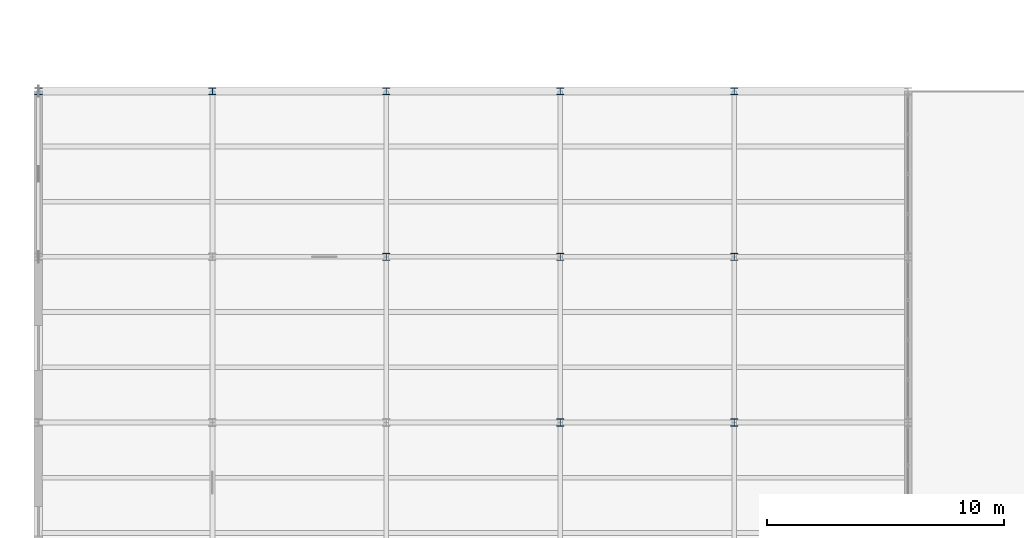
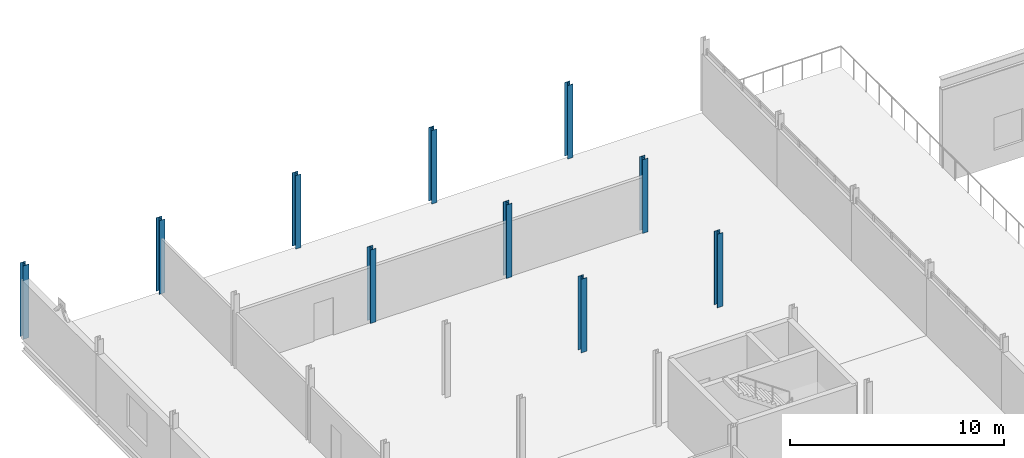
# One storey, part 6 of 39: 10 columns.
"""IFC4 building model written with IfcOpenShell, lengths in metres."""

from ifc_helpers import new_model, si_unit, direction, frame, origin, origin_2d, place, context, subcontext, project, spatial, i_section, extrude, material, material_profile, profile_set, type_object, element, save


model = new_model("IFC4")

# Units and contexts
model_context = context("Model", 3, precision=1e-05, world=origin(), true_north=direction((0.0, 1.0)))
body_context = subcontext(model_context, "Body", "Model", "MODEL_VIEW")
ifc_project = project(units=[si_unit("LENGTHUNIT", "METRE"), si_unit("AREAUNIT", "SQUARE_METRE"), si_unit("VOLUMEUNIT", "CUBIC_METRE"), si_unit("PLANEANGLEUNIT", "RADIAN"), si_unit("MASSUNIT", "GRAM", prefix="KILO")], contexts=[model_context])

# Site, building, storey
site_placement = place(None, origin())
site = spatial("IfcSite", under=ifc_project, at=site_placement, CompositionType="ELEMENT")
building_placement = place(site_placement, origin())
building = spatial("IfcBuilding", under=site, at=building_placement, Name="Kazenagashi Tramway Depot", CompositionType="ELEMENT")
storey_placement = place(building_placement, frame((0.0, 0.0, 11.1)))
storey = spatial("IfcBuildingStorey", under=building, at=storey_placement, Name="L03", CompositionType="ELEMENT", Elevation=11.1)

# Columns
ifc_material = material(Name="Steel SN490B", Category="steel")
ifc_material_profile = material_profile(ifc_material, i_section(OverallWidth=0.3, OverallDepth=0.3, WebThickness=0.01, FlangeThickness=0.015, at=origin_2d()), Name="H-300x300x10x15")
ifc_profile_set = profile_set([ifc_material_profile], Name="Steel SN490B")
column_type = type_object("IfcColumnType", Name="C-05", PredefinedType="COLUMN", material=ifc_profile_set)
for number, where, z_axis, x_axis, name in (
    (1, (0.0, 63.0, 0.0), (0.0, 0.0, 1.0), (1.0, 0.0, 0.0), "Column C-05 COL-0573"),
    (2, (7.35, 63.0, 0.0), (0.0, 0.0, 1.0), (1.0, 0.0, 0.0), "Column C-05 COL-0615"),
    (3, (14.7, 56.0, 0.0), (0.0, 0.0, 1.0), (1.0, 0.0, 0.0), "Column C-05 COL-0657"),
    (4, (14.7, 63.0, 0.0), (0.0, 0.0, 1.0), (1.0, 0.0, 0.0), "Column C-05 COL-0660"),
    (5, (22.05, 49.0, 0.0), (0.0, 0.0, 1.0), (1.0, 0.0, 0.0), "Column C-05 COL-0695"),
    (6, (22.05, 56.0, 0.0), (0.0, 0.0, 1.0), (1.0, 0.0, 0.0), "Column C-05 COL-0699"),
    (7, (22.05, 63.0, 0.0), (0.0, 0.0, 1.0), (1.0, 0.0, 0.0), "Column C-05 COL-0702"),
    (8, (29.4, 49.0, 0.0), (0.0, 0.0, 1.0), (1.0, 0.0, 0.0), "Column C-05 COL-0740"),
    (9, (29.4, 56.0, 0.0), (0.0, 0.0, 1.0), (1.0, 0.0, 0.0), "Column C-05 COL-0744"),
    (10, (29.4, 63.0, 0.0), (0.0, 0.0, 1.0), (1.0, 0.0, 0.0), "Column C-05 COL-0747"),
):
    element("IfcColumn", number, at=place(storey_placement, frame(where, z_axis=z_axis, x_axis=x_axis)), inside=storey, type_object=column_type, Name=name, PredefinedType="COLUMN", context=body_context, shape_type="SweptSolid", body=[
        extrude(i_section(OverallWidth=0.3, OverallDepth=0.3, WebThickness=0.01, FlangeThickness=0.015, at=origin_2d()), origin(), (0.0, 0.0, 1.0), 4.2),
    ])

save(model, "model.ifc")
